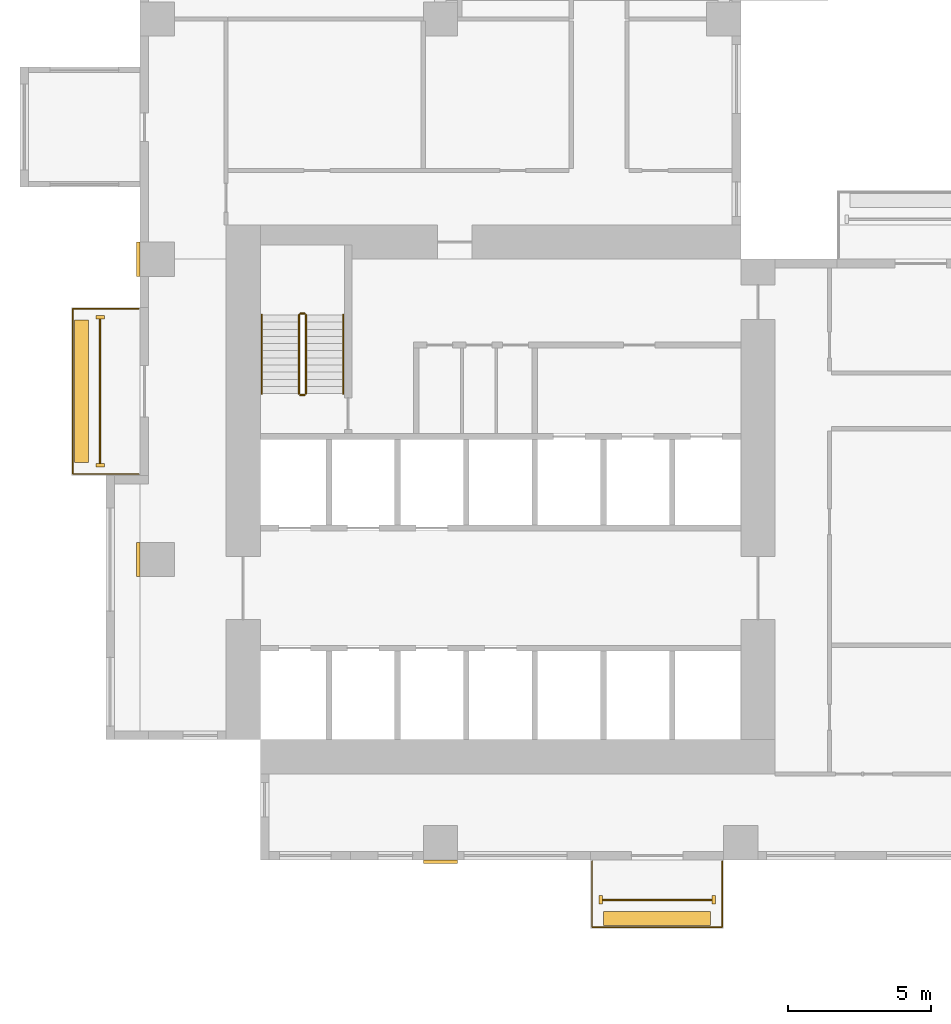
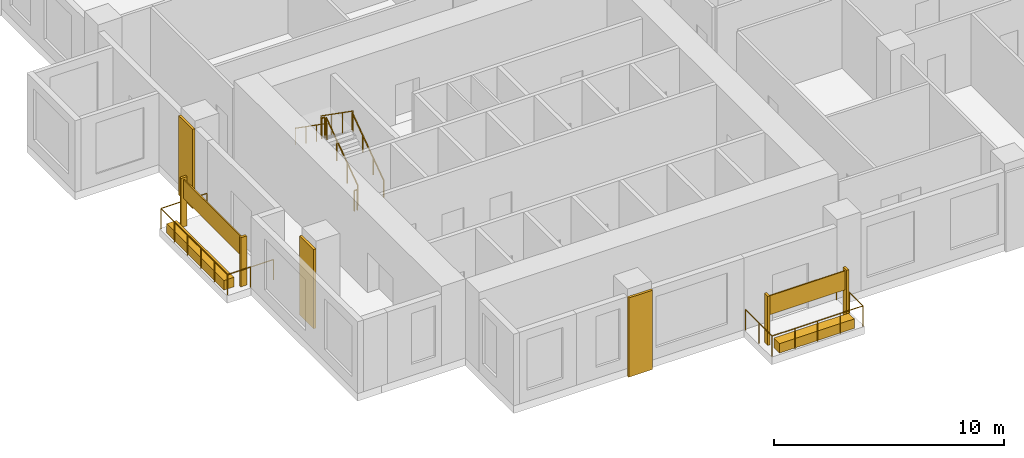
# One storey, part 11 of 14: 11 coverings, 8 railings.
"""IFC4 building model written with IfcOpenShell, lengths in metres."""

from ifc_helpers import new_model, si_unit, direction, frame, origin, origin_2d, place, context, subcontext, project, spatial, rectangle, circle, extrude, source, transform, mapped, material, type_object, element, save


model = new_model("IFC4")

# Units and contexts
model_context = context("Model", 3, precision=1e-05, world=origin(), true_north=direction((0.0, 1.0)))
body_context = subcontext(model_context, "Body", "Model", "MODEL_VIEW")
ifc_project = project(units=[si_unit("LENGTHUNIT", "METRE"), si_unit("AREAUNIT", "SQUARE_METRE"), si_unit("VOLUMEUNIT", "CUBIC_METRE"), si_unit("PLANEANGLEUNIT", "RADIAN"), si_unit("MASSUNIT", "GRAM", prefix="KILO")], contexts=[model_context])

# Site, building, storey
site_placement = place(None, origin())
site = spatial("IfcSite", under=ifc_project, at=site_placement, CompositionType="ELEMENT")
building_placement = place(site_placement, origin())
building = spatial("IfcBuilding", under=site, at=building_placement, Name="Aurelian Terraces", CompositionType="ELEMENT")
storey_placement = place(building_placement, frame((0.0, 0.0, 44.7)))
storey = spatial("IfcBuildingStorey", under=building, at=storey_placement, Name="L08", CompositionType="ELEMENT", Elevation=44.7)

# Covering
ifc_material_1 = material(Name="Terracotta rainscreen cladding relief", Category="masonry")
covering_type_1 = type_object("IfcCoveringType", Name="FIN-TC", PredefinedType="CLADDING", material=ifc_material_1)
covering_1_placement = place(storey_placement, frame((16.1, -1.4, 0.0), z_axis=(0.0, 0.0, 1.0), x_axis=(1.0, 0.0, 0.0)))
element("IfcCovering", 1, at=covering_1_placement, inside=storey, type_object=covering_type_1, Name="FIN L08 L08-F01-04.1", PredefinedType="CLADDING", context=body_context, shape_type="SweptSolid", body=[
    extrude(rectangle(XDim=0.12, YDim=0.3, at=origin_2d()), origin(), (0.0, 0.0, 1.0), 2.6),
])

# Railing
ifc_material_2 = material(Name="Anodised aluminium", Category="aluminium")
railing_type_1 = type_object("IfcRailingType", Name="GUARD-1100", PredefinedType="GUARDRAIL", material=ifc_material_2)
railing_1_placement = place(storey_placement, frame((15.8, -0.05, 0.0)))
element("IfcRailing", 2, at=railing_1_placement, inside=storey, type_object=railing_type_1, Name="Balcony guard L08 F01.4", PredefinedType="GUARDRAIL", context=body_context, shape_type="SweptSolid", body=[
    extrude(circle(Radius=0.024, at=origin_2d()), frame((0.0, 0.0, 1.076), z_axis=(0.0, -1.0, 0.0), x_axis=(1.0, 0.0, 0.0)), (0.0, 0.0, 1.0), 2.3),
    extrude(circle(Radius=0.024, at=origin_2d()), frame((0.0, -2.3, 1.076), z_axis=(1.0, 0.0, 0.0), x_axis=(0.0, 1.0, 0.0)), (0.0, 0.0, 1.0), 4.55),
    extrude(circle(Radius=0.024, at=origin_2d()), frame((4.55, -2.3, 1.076), z_axis=(0.0, 1.0, 0.0), x_axis=(-1.0, 0.0, 0.0)), (0.0, 0.0, 1.0), 2.3),
    extrude(circle(Radius=0.021, at=origin_2d()), origin(), (0.0, 0.0, 1.0), 1.052),
    extrude(circle(Radius=0.021, at=origin_2d()), frame((0.0, -1.15, 0.0)), (0.0, 0.0, 1.0), 1.052),
    extrude(circle(Radius=0.021, at=origin_2d()), frame((0.0, -2.3, 0.0)), (0.0, 0.0, 1.0), 1.052),
    extrude(circle(Radius=0.021, at=origin_2d()), frame((1.1375, -2.3, 0.0)), (0.0, 0.0, 1.0), 1.052),
    extrude(circle(Radius=0.021, at=origin_2d()), frame((2.275, -2.3, 0.0)), (0.0, 0.0, 1.0), 1.052),
    extrude(circle(Radius=0.021, at=origin_2d()), frame((3.4125, -2.3, 0.0)), (0.0, 0.0, 1.0), 1.052),
    extrude(circle(Radius=0.021, at=origin_2d()), frame((4.55, -2.3, 0.0)), (0.0, 0.0, 1.0), 1.052),
    extrude(circle(Radius=0.021, at=origin_2d()), frame((4.55, -1.15, 0.0)), (0.0, 0.0, 1.0), 1.052),
    extrude(circle(Radius=0.021, at=origin_2d()), frame((4.55, 0.0, 0.0)), (0.0, 0.0, 1.0), 1.052),
])

# Coverings
ifc_material_3 = material(Name="Terracotta planter with planting soil", Category="masonry")
covering_type_2 = type_object("IfcCoveringType", Name="PLANTER-TROUGH", PredefinedType="USERDEFINED", material=ifc_material_3)
covering_2_placement = place(storey_placement, frame((18.075, -2.05, 0.0), z_axis=(0.0, 0.0, 1.0), x_axis=(1.0, 0.0, 0.0)))
element("IfcCovering", 3, at=covering_2_placement, inside=storey, type_object=covering_type_2, Name="PLANTER L08 L08-F01-04", ObjectType="PLANTER", PredefinedType="USERDEFINED", context=body_context, shape_type="SweptSolid", body=[
    extrude(rectangle(XDim=3.75, YDim=0.5, at=origin_2d()), origin(), (0.0, 0.0, 1.0), 0.5),
])
ifc_material_4 = material(Name="Terracotta rainscreen cladding", Category="masonry")
covering_type_3 = type_object("IfcCoveringType", Name="SCREEN-TC", PredefinedType="CLADDING", material=ifc_material_4)
covering_3_placement = place(storey_placement, frame((18.075, -1.4, 1.5), z_axis=(0.0, 0.0, 1.0), x_axis=(1.0, 0.0, 0.0)))
element("IfcCovering", 4, at=covering_3_placement, inside=storey, type_object=covering_type_3, Name="SCREEN L08 L08-F01-04", PredefinedType="CLADDING", context=body_context, shape_type="SweptSolid", body=[
    extrude(rectangle(XDim=3.83, YDim=0.06, at=origin_2d()), origin(), (0.0, 0.0, 1.0), 1.0),
])
shared_shape_1 = source(origin(), body_context, "Body", "SweptSolid", [
    extrude(rectangle(XDim=0.3, YDim=0.12, at=origin_2d()), origin(), (0.0, 0.0, 1.0), 2.6),
])
for number, where, z_axis, x_axis, name in (
    (5, (-1.4, 18.97, 0.0), (0.0, 0.0, 1.0), (1.0, 0.0, 0.0), "FIN L08 L08-F14-43.1"),
    (6, (-1.4, 13.79, 0.0), (0.0, 0.0, 1.0), (1.0, 0.0, 0.0), "FIN L08 L08-F14-43.2"),
):
    element("IfcCovering", number, at=place(storey_placement, frame(where, z_axis=z_axis, x_axis=x_axis)), inside=storey, type_object=covering_type_1, Name=name, PredefinedType="CLADDING", context=body_context, shape_type="MappedRepresentation", body=[
        mapped(shared_shape_1, transform((0.0, 0.0, 0.0), scale=1.0)),
    ])
covering_type_4 = type_object("IfcCoveringType", Name="BAGUETTE-TC", PredefinedType="CLADDING", material=ifc_material_1)
shared_shape_2 = source(origin(), body_context, "Body", "SweptSolid", [
    extrude(rectangle(XDim=1.2, YDim=0.12, at=origin_2d()), origin(), (0.0, 0.0, 1.0), 4.2),
])
covering_4_placement = place(storey_placement, frame((10.5, -0.06, -0.4), z_axis=(0.0, 0.0, 1.0), x_axis=(1.0, 0.0, 0.0)))
element("IfcCovering", 7, at=covering_4_placement, inside=storey, type_object=covering_type_4, Name="BAGUETTE pier L08 1", PredefinedType="CLADDING", context=body_context, shape_type="MappedRepresentation", body=[
    mapped(shared_shape_2, transform((0.0, 0.0, 0.0), scale=1.0)),
])
shared_shape_3 = source(origin(), body_context, "Body", "SweptSolid", [
    extrude(rectangle(XDim=0.12, YDim=1.2, at=origin_2d()), origin(), (0.0, 0.0, 1.0), 4.2),
])
for number, where, z_axis, x_axis, name in (
    (8, (-0.06, 10.5, -0.4), (0.0, 0.0, 1.0), (1.0, 0.0, 0.0), "BAGUETTE pier L08 5"),
    (9, (-0.06, 21.0, -0.4), (0.0, 0.0, 1.0), (1.0, 0.0, 0.0), "BAGUETTE pier L08 9"),
):
    element("IfcCovering", number, at=place(storey_placement, frame(where, z_axis=z_axis, x_axis=x_axis)), inside=storey, type_object=covering_type_4, Name=name, PredefinedType="CLADDING", context=body_context, shape_type="MappedRepresentation", body=[
        mapped(shared_shape_3, transform((0.0, 0.0, 0.0), scale=1.0)),
    ])
shared_shape_4 = source(origin(), body_context, "Body", "SweptSolid", [
    extrude(rectangle(XDim=0.12, YDim=0.3, at=origin_2d()), origin(), (0.0, 0.0, 1.0), 2.6),
])
covering_5_placement = place(storey_placement, frame((20.05, -1.4, 0.0), z_axis=(0.0, 0.0, 1.0), x_axis=(1.0, 0.0, 0.0)))
element("IfcCovering", 10, at=covering_5_placement, inside=storey, type_object=covering_type_1, Name="FIN L08 L08-F01-04.2", PredefinedType="CLADDING", context=body_context, shape_type="MappedRepresentation", body=[
    mapped(shared_shape_4, transform((0.0, 0.0, 0.0), scale=1.0)),
])

# Railing
shared_shape_5 = source(origin(), body_context, "Body", "SweptSolid", [
    extrude(circle(Radius=0.024, at=origin_2d()), frame((0.0, 0.0, 1.076), z_axis=(-1.0, 0.0, 0.0), x_axis=(0.0, -1.0, 0.0)), (0.0, 0.0, 1.0), 2.3),
    extrude(circle(Radius=0.024, at=origin_2d()), frame((-2.3, 0.0, 1.076), z_axis=(0.0, -1.0, 0.0), x_axis=(1.0, 0.0, 0.0)), (0.0, 0.0, 1.0), 5.78),
    extrude(circle(Radius=0.024, at=origin_2d()), frame((-2.3, -5.78, 1.076), z_axis=(1.0, 0.0, 0.0), x_axis=(0.0, 1.0, 0.0)), (0.0, 0.0, 1.0), 2.3),
    extrude(circle(Radius=0.021, at=origin_2d()), origin(), (0.0, 0.0, 1.0), 1.052),
    extrude(circle(Radius=0.021, at=origin_2d()), frame((-1.15, 0.0, 0.0)), (0.0, 0.0, 1.0), 1.052),
    extrude(circle(Radius=0.021, at=origin_2d()), frame((-2.3, 0.0, 0.0)), (0.0, 0.0, 1.0), 1.052),
    extrude(circle(Radius=0.021, at=origin_2d()), frame((-2.3, -1.156, 0.0)), (0.0, 0.0, 1.0), 1.052),
    extrude(circle(Radius=0.021, at=origin_2d()), frame((-2.3, -2.312, 0.0)), (0.0, 0.0, 1.0), 1.052),
    extrude(circle(Radius=0.021, at=origin_2d()), frame((-2.3, -3.468, 0.0)), (0.0, 0.0, 1.0), 1.052),
    extrude(circle(Radius=0.021, at=origin_2d()), frame((-2.3, -4.624, 0.0)), (0.0, 0.0, 1.0), 1.052),
    extrude(circle(Radius=0.021, at=origin_2d()), frame((-2.3, -5.78, 0.0)), (0.0, 0.0, 1.0), 1.052),
    extrude(circle(Radius=0.021, at=origin_2d()), frame((-1.15, -5.78, 0.0)), (0.0, 0.0, 1.0), 1.052),
    extrude(circle(Radius=0.021, at=origin_2d()), frame((0.0, -5.78, 0.0)), (0.0, 0.0, 1.0), 1.052),
])
railing_2_placement = place(storey_placement, frame((-0.05, 19.27, 0.0)))
element("IfcRailing", 11, at=railing_2_placement, inside=storey, type_object=railing_type_1, Name="Balcony guard L08 F14.43", PredefinedType="GUARDRAIL", context=body_context, shape_type="MappedRepresentation", body=[
    mapped(shared_shape_5, transform((0.0, 0.0, 0.0), scale=1.0)),
])

# Coverings
shared_shape_6 = source(origin(), body_context, "Body", "SweptSolid", [
    extrude(rectangle(XDim=0.5, YDim=4.98, at=origin_2d()), origin(), (0.0, 0.0, 1.0), 0.5),
])
covering_6_placement = place(storey_placement, frame((-2.05, 16.38, 0.0), z_axis=(0.0, 0.0, 1.0), x_axis=(1.0, 0.0, 0.0)))
element("IfcCovering", 12, at=covering_6_placement, inside=storey, type_object=covering_type_2, Name="PLANTER L08 L08-F14-43", ObjectType="PLANTER", PredefinedType="USERDEFINED", context=body_context, shape_type="MappedRepresentation", body=[
    mapped(shared_shape_6, transform((0.0, 0.0, 0.0), scale=1.0)),
])
shared_shape_7 = source(origin(), body_context, "Body", "SweptSolid", [
    extrude(rectangle(XDim=0.06, YDim=5.06, at=origin_2d()), origin(), (0.0, 0.0, 1.0), 1.0),
])
covering_7_placement = place(storey_placement, frame((-1.4, 16.38, 1.5), z_axis=(0.0, 0.0, 1.0), x_axis=(1.0, 0.0, 0.0)))
element("IfcCovering", 13, at=covering_7_placement, inside=storey, type_object=covering_type_3, Name="SCREEN L08 L08-F14-43", PredefinedType="CLADDING", context=body_context, shape_type="MappedRepresentation", body=[
    mapped(shared_shape_7, transform((0.0, 0.0, 0.0), scale=1.0)),
])

# Railings
ifc_material_5 = material(Name="Stainless steel", Category="steel")
railing_type_2 = type_object("IfcRailingType", Name="Stair guard 1100", PredefinedType="GUARDRAIL", material=ifc_material_5)
shared_shape_8 = source(origin(), body_context, "Body", "SweptSolid", [
    extrude(circle(Radius=0.024, at=origin_2d()), frame((0.0, 0.0, 1.076), z_axis=(-1.0, 0.0, 0.0), x_axis=(0.0, -1.0, 0.0)), (0.0, 0.0, 1.0), 0.15),
    extrude(circle(Radius=0.021, at=origin_2d()), origin(), (0.0, 0.0, 1.0), 1.052),
    extrude(circle(Radius=0.021, at=origin_2d()), frame((-0.15, 0.0, 0.0)), (0.0, 0.0, 1.0), 1.052),
])
for number, where, name in (
    (14, (5.75, 19.1, 2.1), "L08 S1 stair guard 2"),
    (15, (5.75, 16.25, 0.0), "L08 S1 stair guard 4"),
):
    element("IfcRailing", number, at=place(storey_placement, frame(where)), inside=storey, type_object=railing_type_2, Name=name, PredefinedType="GUARDRAIL", context=body_context, shape_type="MappedRepresentation", body=[
        mapped(shared_shape_8, transform((0.0, 0.0, 0.0), scale=1.0)),
    ])
shared_shape_9 = source(origin(), body_context, "Body", "SweptSolid", [
    extrude(circle(Radius=0.024, at=origin_2d()), frame((0.0, 0.0, 1.076), z_axis=(0.0, 0.819231920519, 0.573462344363), x_axis=(-1.0, 0.0, 0.0)), (0.0, 0.0, 1.0), 3.3568),
    extrude(circle(Radius=0.021, at=origin_2d()), origin(), (0.0, 0.0, 1.0), 1.052),
    extrude(circle(Radius=0.021, at=origin_2d()), frame((0.0, 0.9167, 0.6417)), (0.0, 0.0, 1.0), 1.052),
    extrude(circle(Radius=0.021, at=origin_2d()), frame((0.0, 1.8333, 1.2833)), (0.0, 0.0, 1.0), 1.052),
    extrude(circle(Radius=0.021, at=origin_2d()), frame((0.0, 2.75, 1.925)), (0.0, 0.0, 1.0), 1.052),
])
railing_3_placement = place(storey_placement, frame((5.8, 16.3, 0.175)))
element("IfcRailing", 16, at=railing_3_placement, inside=storey, type_object=railing_type_2, Name="L08 S1 stair guard 1", PredefinedType="GUARDRAIL", context=body_context, shape_type="MappedRepresentation", body=[
    mapped(shared_shape_9, transform((0.0, 0.0, 0.0), scale=1.0)),
])
shared_shape_10 = source(origin(), body_context, "Body", "SweptSolid", [
    extrude(circle(Radius=0.024, at=origin_2d()), frame((0.0, 0.0, 1.076), z_axis=(0.0, -0.819231920519, 0.573462344363), x_axis=(1.0, 0.0, 0.0)), (0.0, 0.0, 1.0), 3.3568),
    extrude(circle(Radius=0.021, at=origin_2d()), origin(), (0.0, 0.0, 1.0), 1.052),
    extrude(circle(Radius=0.021, at=origin_2d()), frame((0.0, -0.9167, 0.6417)), (0.0, 0.0, 1.0), 1.052),
    extrude(circle(Radius=0.021, at=origin_2d()), frame((0.0, -1.8333, 1.2833)), (0.0, 0.0, 1.0), 1.052),
    extrude(circle(Radius=0.021, at=origin_2d()), frame((0.0, -2.75, 1.925)), (0.0, 0.0, 1.0), 1.052),
])
railing_4_placement = place(storey_placement, frame((5.55, 19.05, 2.275)))
element("IfcRailing", 17, at=railing_4_placement, inside=storey, type_object=railing_type_2, Name="L08 S1 stair guard 3", PredefinedType="GUARDRAIL", context=body_context, shape_type="MappedRepresentation", body=[
    mapped(shared_shape_10, transform((0.0, 0.0, 0.0), scale=1.0)),
])
railing_type_3 = type_object("IfcRailingType", Name="Stair handrail", PredefinedType="HANDRAIL", material=ifc_material_5)
shared_shape_11 = source(origin(), body_context, "Body", "SweptSolid", [
    extrude(circle(Radius=0.024, at=origin_2d()), frame((0.0, 0.0, 0.876), z_axis=(0.0, 0.819231920519, 0.573462344363), x_axis=(-1.0, 0.0, 0.0)), (0.0, 0.0, 1.0), 3.3568),
    extrude(circle(Radius=0.021, at=origin_2d()), origin(), (0.0, 0.0, 1.0), 0.852),
    extrude(circle(Radius=0.021, at=origin_2d()), frame((0.0, 0.9167, 0.6417)), (0.0, 0.0, 1.0), 0.852),
    extrude(circle(Radius=0.021, at=origin_2d()), frame((0.0, 1.8333, 1.2833)), (0.0, 0.0, 1.0), 0.852),
    extrude(circle(Radius=0.021, at=origin_2d()), frame((0.0, 2.75, 1.925)), (0.0, 0.0, 1.0), 0.852),
])
railing_5_placement = place(storey_placement, frame((7.1, 16.3, 0.175)))
element("IfcRailing", 18, at=railing_5_placement, inside=storey, type_object=railing_type_3, Name="L08 S1 stair handrail 1", PredefinedType="HANDRAIL", context=body_context, shape_type="MappedRepresentation", body=[
    mapped(shared_shape_11, transform((0.0, 0.0, 0.0), scale=1.0)),
])
shared_shape_12 = source(origin(), body_context, "Body", "SweptSolid", [
    extrude(circle(Radius=0.024, at=origin_2d()), frame((0.0, 0.0, 0.876), z_axis=(0.0, -0.819231920519, 0.573462344363), x_axis=(1.0, 0.0, 0.0)), (0.0, 0.0, 1.0), 3.3568),
    extrude(circle(Radius=0.021, at=origin_2d()), origin(), (0.0, 0.0, 1.0), 0.852),
    extrude(circle(Radius=0.021, at=origin_2d()), frame((0.0, -0.9167, 0.6417)), (0.0, 0.0, 1.0), 0.852),
    extrude(circle(Radius=0.021, at=origin_2d()), frame((0.0, -1.8333, 1.2833)), (0.0, 0.0, 1.0), 0.852),
    extrude(circle(Radius=0.021, at=origin_2d()), frame((0.0, -2.75, 1.925)), (0.0, 0.0, 1.0), 0.852),
])
railing_6_placement = place(storey_placement, frame((4.25, 19.05, 2.275)))
element("IfcRailing", 19, at=railing_6_placement, inside=storey, type_object=railing_type_3, Name="L08 S1 stair handrail 2", PredefinedType="HANDRAIL", context=body_context, shape_type="MappedRepresentation", body=[
    mapped(shared_shape_12, transform((0.0, 0.0, 0.0), scale=1.0)),
])

save(model, "model.ifc")
